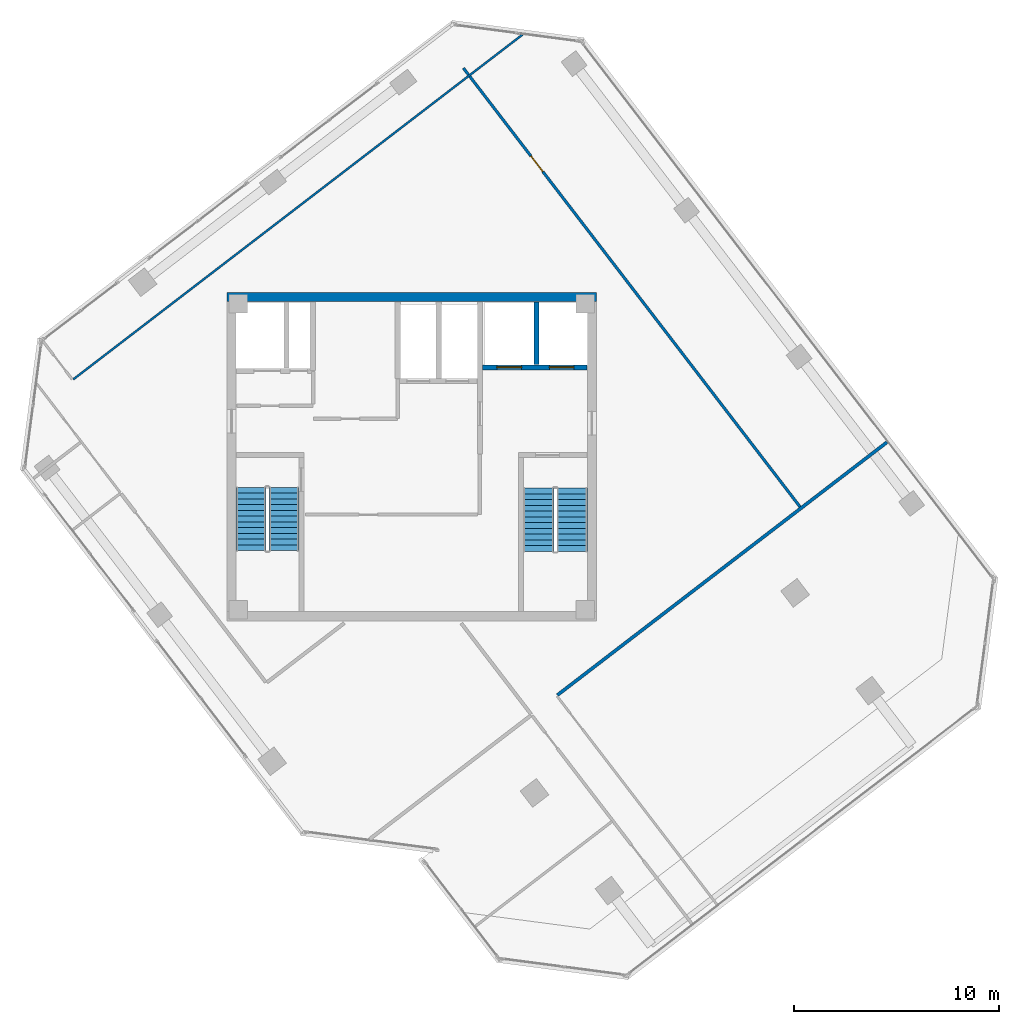
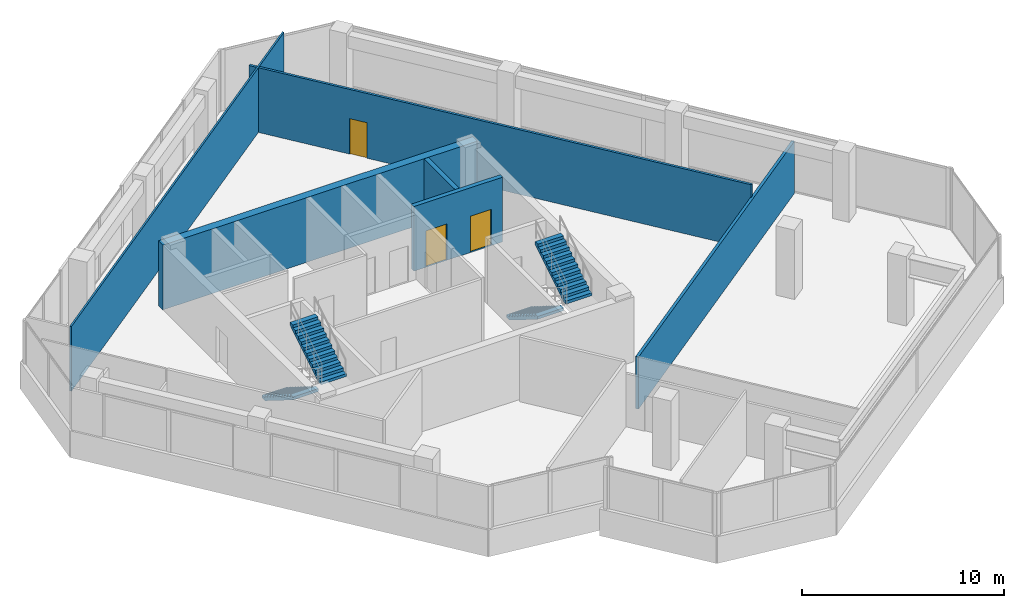
# One storey, part 14 of 17: 6 walls, 4 stair flights, 3 doors, 3 openings, 2 elements without a shape of their own.
"""IFC4 building model written with IfcOpenShell, lengths in metres."""

from ifc_helpers import new_model, si_unit, direction, frame, frame_2d, origin, place, context, subcontext, project, spatial, polyline, rectangle, outline, extrude, source, transform, mapped, material, layer, layer_set, type_object, element, fill, aggregate, save


model = new_model("IFC4")

# Units and contexts
model_context = context("Model", 3, precision=1e-05, world=origin(), true_north=direction((0.0, 1.0)))
body_context = subcontext(model_context, "Body", "Model", "MODEL_VIEW")
ifc_project = project(units=[si_unit("LENGTHUNIT", "METRE"), si_unit("AREAUNIT", "SQUARE_METRE"), si_unit("VOLUMEUNIT", "CUBIC_METRE"), si_unit("PLANEANGLEUNIT", "RADIAN"), si_unit("MASSUNIT", "GRAM", prefix="KILO")], contexts=[model_context])

# Site, building, storey
site_placement = place(None, origin())
site = spatial("IfcSite", under=ifc_project, at=site_placement, CompositionType="ELEMENT")
building_placement = place(site_placement, origin())
building = spatial("IfcBuilding", under=site, at=building_placement, Name="Torre Montelarca", CompositionType="ELEMENT")
storey_placement = place(building_placement, frame((0.0, 0.0, 283.60009765625)))
storey = spatial("IfcBuildingStorey", under=building, at=storey_placement, Name="L64", CompositionType="ELEMENT", Elevation=283.60009765625)

# Wall, openings, doors
ifc_material_1 = material(Name="Concrete C40/50", Category="concrete")
ifc_layer_1 = layer(ifc_material_1, 0.25, Name="Concrete C40/50", Category="concrete")
ifc_layer_set_1 = layer_set([ifc_layer_1], Name="Concrete C40/50")
wall_type_1 = type_object("IfcWallType", Name="CW-SHAFT-250", PredefinedType="SHEAR", material=ifc_layer_set_1)
wall_1_placement = place(storey_placement, frame((21.449951171875, 36.35009765625, 0.0), z_axis=(0.0, 0.0, 1.0), x_axis=(1.0, 0.0, 0.0)))
wall_1 = element("IfcWall", 1, at=wall_1_placement, inside=storey, type_object=wall_type_1, Name="L64 Core Shear Wall SH-FF-S", PredefinedType="SHEAR", context=body_context, shape_type="SweptSolid", body=[
    extrude(rectangle(XDim=5.090087890625, YDim=0.25, at=frame_2d((2.544921875, 0.0))), origin(), (0.0, 0.0, 1.0), 3.919921875),
])
opening_1_placement = place(wall_1_placement, frame((0.699951171875, 0.0, 0.0)))
opening_1 = element("IfcOpeningElement", 2, at=opening_1_placement, cuts=wall_1, Name="Opening LD-120", PredefinedType="OPENING", context=body_context, shape_type="SweptSolid", body=[
    extrude(rectangle(XDim=1.199951171875, YDim=2.199951171875, at=frame_2d((0.60009765625, 1.10009765625))), frame((0.0, 0.135009765625, 0.0), z_axis=(0.0, -1.0, 0.0), x_axis=(1.0, 0.0, 0.0)), (0.0, 0.0, 1.0), 0.27001953125),
])
opening_2_placement = place(wall_1_placement, frame((3.25, 0.0, 0.0)))
opening_2 = element("IfcOpeningElement", 3, at=opening_2_placement, cuts=wall_1, Name="Opening LD-120", PredefinedType="OPENING", context=body_context, shape_type="SweptSolid", body=[
    extrude(rectangle(XDim=1.199951171875, YDim=2.199951171875, at=frame_2d((0.60009765625, 1.10009765625))), frame((0.0, 0.135009765625, 0.0), z_axis=(0.0, -1.0, 0.0), x_axis=(1.0, 0.0, 0.0)), (0.0, 0.0, 1.0), 0.27001953125),
])
ifc_material_2 = material(Name="Brushed stainless steel AISI 316", Category="steel")
door_type_1 = type_object("IfcDoorType", Name="DR-LIFT-120", OperationType="SLIDING_TO_RIGHT", PredefinedType="DOOR", material=ifc_material_2)
shared_shape_1 = source(origin(), body_context, "Body", "SweptSolid", [
    extrude(rectangle(XDim=1.199951171875, YDim=2.199951171875, at=frame_2d((0.60009765625, 1.10009765625))), frame((0.0, 0.02490234375, 0.0), z_axis=(0.0, -1.0, 0.0), x_axis=(1.0, 0.0, 0.0)), (0.0, 0.0, 1.0), 0.050048828125),
])
door_1_placement = place(opening_1_placement, origin())
door_1 = element("IfcDoor", 4, at=door_1_placement, inside=storey, type_object=door_type_1, Name="L64 Lift Landing Sliding Door FF-1", OperationType="SLIDING_TO_LEFT", OverallHeight=2.199951171875, OverallWidth=1.199951171875, PredefinedType="DOOR", context=body_context, shape_type="MappedRepresentation", body=[
    mapped(shared_shape_1, transform((0.0, 0.0, 0.0), scale=1.0)),
])
fill(opening_1, door_1)
door_2_placement = place(opening_2_placement, origin())
door_2 = element("IfcDoor", 5, at=door_2_placement, inside=storey, type_object=door_type_1, Name="L64 Lift Landing Sliding Door FF-2", OperationType="SLIDING_TO_RIGHT", OverallHeight=2.199951171875, OverallWidth=1.199951171875, PredefinedType="DOOR", context=body_context, shape_type="MappedRepresentation", body=[
    mapped(shared_shape_1, transform((0.0, 0.0, 0.0), scale=1.0)),
])
fill(opening_2, door_2)

# Walls
wall_2_placement = place(storey_placement, frame((24.080078125, 36.47998046875, 0.0), z_axis=(0.0, 0.0, 1.0), x_axis=(0.0, 1.0, 0.0)))
element("IfcWall", 6, at=wall_2_placement, inside=storey, type_object=wall_type_1, Name="L64 Core Shear Wall SH-FF-M", PredefinedType="SHEAR", context=body_context, shape_type="SweptSolid", body=[
    extrude(rectangle(XDim=3.06005859375, YDim=0.25, at=frame_2d((1.530029296875, 0.0))), origin(), (0.0, 0.0, 1.0), 3.919921875),
])
ifc_material_3 = material(Name="Concrete C55/67", Category="concrete")
ifc_layer_2 = layer(ifc_material_3, 0.449951171875, Name="Concrete C55/67", Category="concrete")
ifc_layer_set_2 = layer_set([ifc_layer_2], Name="Concrete C55/67")
wall_type_2 = type_object("IfcWallType", Name="CW-SHEAR-450", PredefinedType="SHEAR", material=ifc_layer_set_2)
wall_3_placement = place(storey_placement, frame((9.0, 39.77490234375, 0.0), z_axis=(0.0, 0.0, 1.0), x_axis=(1.0, 0.0, 0.0)))
element("IfcWall", 7, at=wall_3_placement, inside=storey, type_object=wall_type_2, Name="L64 Core Shear Wall CW-N1", PredefinedType="SHEAR", context=body_context, shape_type="SweptSolid", body=[
    extrude(rectangle(XDim=18.0, YDim=0.449951171875, at=frame_2d((9.0, 0.0))), origin(), (0.0, 0.0, 1.0), 3.919921875),
])
ifc_material_4 = material(Name="Gypsum plasterboard on steel stud", Category="steel")
ifc_layer_3 = layer(ifc_material_4, 0.159912109375, Name="Gypsum plasterboard on steel stud", Category="steel")
ifc_layer_set_3 = layer_set([ifc_layer_3], Name="Gypsum plasterboard on steel stud")
wall_type_3 = type_object("IfcWallType", Name="PW-FIRE-160", PredefinedType="PARTITIONING", material=ifc_layer_set_3)
wall_4_placement = place(storey_placement, frame((25.091796875, 20.38671875, 0.0), z_axis=(0.0, 0.0, 1.0), x_axis=(0.793357014217, 0.608756641025, 0.0)))
element("IfcWall", 8, at=wall_4_placement, inside=storey, type_object=wall_type_3, Name="L64 Interior Partition W-L64-ECN", PredefinedType="PARTITIONING", context=body_context, shape_type="SweptSolid", body=[
    extrude(rectangle(XDim=20.239990234375, YDim=0.159912109375, at=frame_2d((10.1201171875, 0.0))), origin(), (0.0, 0.0, 1.0), 3.15478515625),
])
ifc_material_5 = material(Name="Acoustic laminated glass partition", Category="glass")
ifc_layer_4 = layer(ifc_material_5, 0.10009765625, Name="Acoustic laminated glass partition", Category="glass")
ifc_layer_set_4 = layer_set([ifc_layer_4], Name="Acoustic laminated glass partition")
wall_type_4 = type_object("IfcWallType", Name="PW-GLAZ-100", PredefinedType="PARTITIONING", material=ifc_layer_set_4)
wall_5_placement = place(storey_placement, frame((1.519287109375, 35.764404296875, 0.0), z_axis=(0.0, 0.0, 1.0), x_axis=(0.793353184068, 0.608761632602, 0.0)))
element("IfcWall", 9, at=wall_5_placement, inside=storey, type_object=wall_type_4, Name="L64 Interior Partition W-L64-WPKE", PredefinedType="PARTITIONING", context=body_context, shape_type="SweptSolid", body=[
    extrude(rectangle(XDim=27.572265625, YDim=0.10009765625, at=frame_2d((13.7861328125, 0.0))), origin(), (0.0, 0.0, 1.0), 3.919921875),
])

# Wall, opening, door
ifc_layer_5 = layer(ifc_material_4, 0.135009765625, Name="Gypsum plasterboard on steel stud", Category="steel")
ifc_layer_set_5 = layer_set([ifc_layer_5], Name="Gypsum plasterboard on steel stud")
wall_type_5 = type_object("IfcWallType", Name="PW-PART-135", PredefinedType="PARTITIONING", material=ifc_layer_set_5)
wall_6_placement = place(storey_placement, frame((20.517822265625, 50.92236328125, 0.0), z_axis=(0.0, 0.0, 1.0), x_axis=(0.608759693778, -0.793354671778, 0.0)))
wall_6 = element("IfcWall", 10, at=wall_6_placement, inside=storey, type_object=wall_type_5, Name="L64 Interior Partition W-L64-NBOT", PredefinedType="PARTITIONING", context=body_context, shape_type="SweptSolid", body=[
    extrude(rectangle(XDim=26.969970703125, YDim=0.135009765625, at=frame_2d((13.48486328125, 0.0))), origin(), (0.0, 0.0, 1.0), 3.919921875),
])
opening_3_placement = place(wall_6_placement, frame((5.39990234375, 0.0, 0.0)))
opening_3 = element("IfcOpeningElement", 11, at=opening_3_placement, cuts=wall_6, Name="Opening ID-095", PredefinedType="OPENING", context=body_context, shape_type="SweptSolid", body=[
    extrude(rectangle(XDim=0.949951171875, YDim=2.14990234375, at=frame_2d((0.47509765625, 1.074951171875))), frame((0.0, 0.07763671875, 0.0), z_axis=(0.0, -1.0, 0.0), x_axis=(1.0, 0.0, 0.0)), (0.0, 0.0, 1.0), 0.155029296875),
])
ifc_material_6 = material(Name="Hardwood acoustic timber veneer", Category="wood")
door_type_2 = type_object("IfcDoorType", Name="DR-INT-095", OperationType="NOTDEFINED", PredefinedType="DOOR", material=ifc_material_6)
shared_shape_2 = source(origin(), body_context, "Body", "SweptSolid", [
    extrude(rectangle(XDim=0.949951171875, YDim=2.14990234375, at=frame_2d((0.47509765625, 1.074951171875))), frame((0.0, 0.02490234375, 0.0), z_axis=(0.0, -1.0, 0.0), x_axis=(1.0, 0.0, 0.0)), (0.0, 0.0, 1.0), 0.050048828125),
])
door_3_placement = place(opening_3_placement, origin())
door_3 = element("IfcDoor", 12, at=door_3_placement, inside=storey, type_object=door_type_2, Name="L64 Interior Door 07", OperationType="SINGLE_SWING_LEFT", OverallHeight=2.14990234375, OverallWidth=0.949951171875, PredefinedType="DOOR", context=body_context, shape_type="MappedRepresentation", body=[
    mapped(shared_shape_2, transform((0.0, 0.0, 0.0), scale=1.0)),
])
fill(opening_3, door_3)

# Stair, stair flights
stair_type_1 = type_object("IfcStairType", Name="ST-CORE-ST1", PredefinedType="HALF_TURN_STAIR", material=ifc_material_1)
stair_1_placement = place(storey_placement, origin())
stair_1 = element("IfcStair", 13, at=stair_1_placement, inside=storey, type_object=stair_type_1, Name="L64 Protected Exit Stair ST1", PredefinedType="HALF_TURN_STAIR")
stair_flight_type_1 = type_object("IfcStairFlightType", Name="SFL-CORE-ST1", PredefinedType="STRAIGHT", material=ifc_material_1)
stair_flight_1_placement = place(storey_placement, frame((10.175048828125, 30.5, 0.0), z_axis=(0.0, 0.0, 1.0), x_axis=(0.0, -1.0, 0.0)))
stair_flight_1 = element("IfcStairFlight", 14, at=stair_flight_1_placement, type_object=stair_flight_type_1, Name="ST1 flight 1", NumberOfRisers=12, NumberOfTreads=11, PredefinedType="STRAIGHT", RiserHeight=0.175, TreadLength=0.28, context=body_context, shape_type="SweptSolid", body=[
    extrude(outline(polyline([(0.0, 0.0), (0.0, 0.175048828125), (0.280029296875, 0.175048828125), (0.280029296875, 0.35009765625), (0.56005859375, 0.35009765625), (0.56005859375, 0.52490234375), (0.840087890625, 0.52490234375), (0.840087890625, 0.699951171875), (1.1201171875, 0.699951171875), (1.1201171875, 0.875), (1.39990234375, 0.875), (1.39990234375, 1.050048828125), (1.679931640625, 1.050048828125), (1.679931640625, 1.22509765625), (1.9599609375, 1.22509765625), (1.9599609375, 1.39990234375), (2.239990234375, 1.39990234375), (2.239990234375, 1.574951171875), (2.52001953125, 1.574951171875), (2.52001953125, 1.75), (2.800048828125, 1.75), (2.800048828125, 1.925048828125), (3.080078125, 1.925048828125), (3.080078125, 2.10009765625), (3.080078125, 1.748291015625), (0.28271484375, 0.0), (0.0, 0.0)])), frame((0.0, 0.72509765625, 0.0), z_axis=(0.0, -1.0, 0.0), x_axis=(1.0, 0.0, 0.0)), (0.0, 0.0, 1.0), 1.449951171875),
])
stair_flight_2_placement = place(storey_placement, frame((11.77490234375, 27.419921875, 2.099853515625), z_axis=(0.0, 0.0, 1.0), x_axis=(0.0, 1.0, 0.0)))
stair_flight_2 = element("IfcStairFlight", 15, at=stair_flight_2_placement, type_object=stair_flight_type_1, Name="ST1 flight 2", NumberOfRisers=12, NumberOfTreads=11, PredefinedType="STRAIGHT", RiserHeight=0.175, TreadLength=0.28, context=body_context, shape_type="SweptSolid", body=[
    extrude(outline(polyline([(0.0, 0.0), (0.0, 0.175048828125), (0.280029296875, 0.175048828125), (0.280029296875, 0.35009765625), (0.56005859375, 0.35009765625), (0.56005859375, 0.52490234375), (0.840087890625, 0.52490234375), (0.840087890625, 0.699951171875), (1.1201171875, 0.699951171875), (1.1201171875, 0.875), (1.39990234375, 0.875), (1.39990234375, 1.050048828125), (1.679931640625, 1.050048828125), (1.679931640625, 1.22509765625), (1.9599609375, 1.22509765625), (1.9599609375, 1.39990234375), (2.239990234375, 1.39990234375), (2.239990234375, 1.574951171875), (2.52001953125, 1.574951171875), (2.52001953125, 1.75), (2.800048828125, 1.75), (2.800048828125, 1.925048828125), (3.080078125, 1.925048828125), (3.080078125, 2.10009765625), (3.080078125, 1.748291015625), (0.28271484375, 0.0), (0.0, 0.0)])), frame((0.0, 0.72509765625, 0.0), z_axis=(0.0, -1.0, 0.0), x_axis=(1.0, 0.0, 0.0)), (0.0, 0.0, 1.0), 1.449951171875),
])
aggregate(stair_1, [stair_flight_1, stair_flight_2])

stair_type_2 = type_object("IfcStairType", Name="ST-CORE-ST2", PredefinedType="HALF_TURN_STAIR", material=ifc_material_1)
stair_2_placement = place(storey_placement, origin())
stair_2 = element("IfcStair", 16, at=stair_2_placement, inside=storey, type_object=stair_type_2, Name="L64 Protected Exit Stair ST2", PredefinedType="HALF_TURN_STAIR")
stair_flight_type_2 = type_object("IfcStairFlightType", Name="SFL-CORE-ST2", PredefinedType="STRAIGHT", material=ifc_material_1)
stair_flight_3_placement = place(storey_placement, frame((24.179931640625, 30.469970703125, 0.0), z_axis=(0.0, 0.0, 1.0), x_axis=(0.0, -1.0, 0.0)))
stair_flight_3 = element("IfcStairFlight", 17, at=stair_flight_3_placement, type_object=stair_flight_type_2, Name="ST2 flight 1", NumberOfRisers=12, NumberOfTreads=11, PredefinedType="STRAIGHT", RiserHeight=0.175, TreadLength=0.28, context=body_context, shape_type="SweptSolid", body=[
    extrude(outline(polyline([(0.0, 0.0), (0.0, 0.175048828125), (0.280029296875, 0.175048828125), (0.280029296875, 0.35009765625), (0.56005859375, 0.35009765625), (0.56005859375, 0.52490234375), (0.840087890625, 0.52490234375), (0.840087890625, 0.699951171875), (1.1201171875, 0.699951171875), (1.1201171875, 0.875), (1.39990234375, 0.875), (1.39990234375, 1.050048828125), (1.679931640625, 1.050048828125), (1.679931640625, 1.22509765625), (1.9599609375, 1.22509765625), (1.9599609375, 1.39990234375), (2.239990234375, 1.39990234375), (2.239990234375, 1.574951171875), (2.52001953125, 1.574951171875), (2.52001953125, 1.75), (2.800048828125, 1.75), (2.800048828125, 1.925048828125), (3.080078125, 1.925048828125), (3.080078125, 2.10009765625), (3.080078125, 1.748291015625), (0.28271484375, 0.0), (0.0, 0.0)])), frame((0.0, 0.739990234375, 0.0), z_axis=(0.0, -1.0, 0.0), x_axis=(1.0, 0.0, 0.0)), (0.0, 0.0, 1.0), 1.47998046875),
])
stair_flight_4_placement = place(storey_placement, frame((25.81005859375, 27.389892578125, 2.099853515625), z_axis=(0.0, 0.0, 1.0), x_axis=(0.0, 1.0, 0.0)))
stair_flight_4 = element("IfcStairFlight", 18, at=stair_flight_4_placement, type_object=stair_flight_type_2, Name="ST2 flight 2", NumberOfRisers=12, NumberOfTreads=11, PredefinedType="STRAIGHT", RiserHeight=0.175, TreadLength=0.28, context=body_context, shape_type="SweptSolid", body=[
    extrude(outline(polyline([(0.0, 0.0), (0.0, 0.175048828125), (0.280029296875, 0.175048828125), (0.280029296875, 0.35009765625), (0.56005859375, 0.35009765625), (0.56005859375, 0.52490234375), (0.840087890625, 0.52490234375), (0.840087890625, 0.699951171875), (1.1201171875, 0.699951171875), (1.1201171875, 0.875), (1.39990234375, 0.875), (1.39990234375, 1.050048828125), (1.679931640625, 1.050048828125), (1.679931640625, 1.22509765625), (1.9599609375, 1.22509765625), (1.9599609375, 1.39990234375), (2.239990234375, 1.39990234375), (2.239990234375, 1.574951171875), (2.52001953125, 1.574951171875), (2.52001953125, 1.75), (2.800048828125, 1.75), (2.800048828125, 1.925048828125), (3.080078125, 1.925048828125), (3.080078125, 2.10009765625), (3.080078125, 1.748291015625), (0.28271484375, 0.0), (0.0, 0.0)])), frame((0.0, 0.739990234375, 0.0), z_axis=(0.0, -1.0, 0.0), x_axis=(1.0, 0.0, 0.0)), (0.0, 0.0, 1.0), 1.47998046875),
])
aggregate(stair_2, [stair_flight_3, stair_flight_4])

save(model, "model.ifc")
